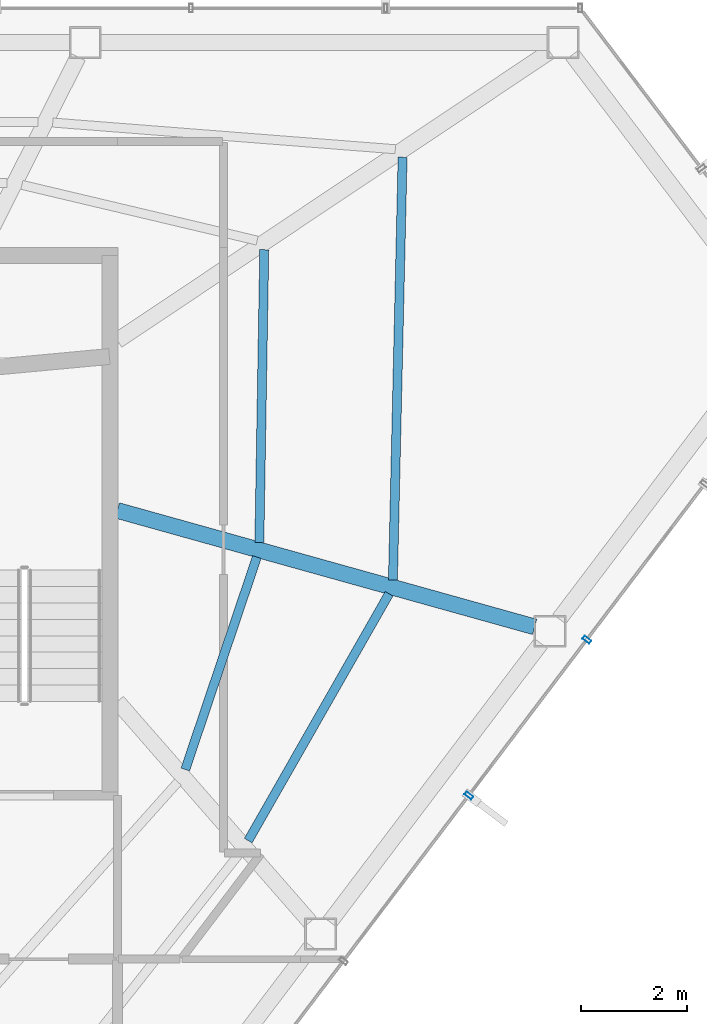
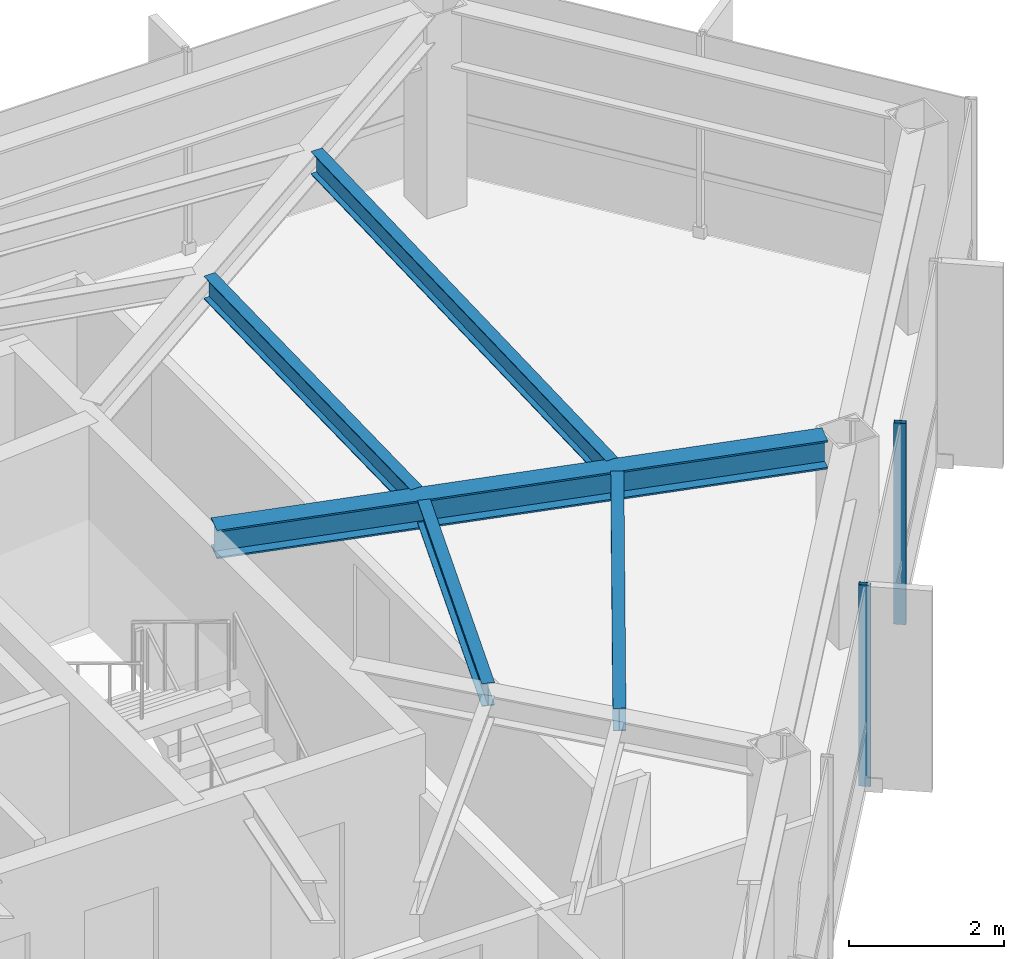
# One storey, part 17 of 25: 5 beams, 2 members, 1 element without a shape of its own.
"""IFC4 building model written with IfcOpenShell, lengths in metres."""

from ifc_helpers import new_model, si_unit, direction, frame, origin, origin_2d, place, context, subcontext, project, spatial, hollow_rectangle, i_section, extrude, material, layer, layer_set, material_profile, profile_set, type_object, element, aggregate, save


model = new_model("IFC4")

# Units and contexts
model_context = context("Model", 3, precision=1e-05, world=origin(), true_north=direction((0.0, 1.0)))
body_context = subcontext(model_context, "Body", "Model", "MODEL_VIEW")
ifc_project = project(units=[si_unit("LENGTHUNIT", "METRE"), si_unit("AREAUNIT", "SQUARE_METRE"), si_unit("VOLUMEUNIT", "CUBIC_METRE"), si_unit("PLANEANGLEUNIT", "RADIAN"), si_unit("MASSUNIT", "GRAM", prefix="KILO")], contexts=[model_context])

# Site, building, storey
site_placement = place(None, origin())
site = spatial("IfcSite", under=ifc_project, at=site_placement, CompositionType="ELEMENT")
building_placement = place(site_placement, origin())
building = spatial("IfcBuilding", under=site, at=building_placement, Name="Zarrinselat Tower", CompositionType="ELEMENT")
storey_placement = place(building_placement, frame((0.0, 0.0, 242.760009765625)))
storey = spatial("IfcBuildingStorey", under=building, at=storey_placement, Name="L61", CompositionType="ELEMENT", Elevation=242.760009765625)

# Beams
ifc_material_1 = material(Name="Steel S355J2", Category="steel")
ifc_material_profile_1 = material_profile(ifc_material_1, i_section(OverallWidth=0.300048828125, OverallDepth=0.449951171875, WebThickness=0.013916015625, FlangeThickness=0.02587890625, at=origin_2d()), Name="HEB 450")
ifc_profile_set_1 = profile_set([ifc_material_profile_1], Name="Steel S355J2")
beam_type_1 = type_object("IfcBeamType", Name="BM-HEB450", PredefinedType="BEAM", material=ifc_profile_set_1)
beam_1_placement = place(storey_placement, frame((48.35009765625, 38.60009765625, 2.955078125), z_axis=(0.963213775513, -0.26873634414, 0.0), x_axis=(0.26873634414, 0.963213775513, 0.0)))
element("IfcBeam", 1, at=beam_1_placement, inside=storey, type_object=beam_type_1, Name="L61 Radial Primary Girder RG14", PredefinedType="BEAM", context=body_context, shape_type="SweptSolid", body=[
    extrude(i_section(OverallWidth=0.300048828125, OverallDepth=0.449951171875, WebThickness=0.013916015625, FlangeThickness=0.02587890625, at=origin_2d()), origin(), (0.0, 0.0, 1.0), 8.158935546875),
])
ifc_material_2 = material(Name="Steel S355J2", Category="steel")
ifc_material_profile_2 = material_profile(ifc_material_2, i_section(OverallWidth=0.169921875, OverallDepth=0.360107421875, WebThickness=0.008056640625, FlangeThickness=0.0126953125, at=origin_2d()), Name="IPE 360")
ifc_profile_set_2 = profile_set([ifc_material_profile_2], Name="Steel S355J2")
beam_type_2 = type_object("IfcBeamType", Name="BM-IPE360", PredefinedType="JOIST", material=ifc_profile_set_2)
beam_2_placement = place(storey_placement, frame((50.81494140625, 32.3818359375, 3.0), z_axis=(0.495544498514, 0.868582552204, 0.0), x_axis=(-0.868582552204, 0.495544498514, 0.0)))
element("IfcBeam", 2, at=beam_2_placement, inside=storey, type_object=beam_type_2, Name="L61 Composite Floor Joist 4-1", PredefinedType="JOIST", context=body_context, shape_type="SweptSolid", body=[
    extrude(i_section(OverallWidth=0.169921875, OverallDepth=0.360107421875, WebThickness=0.008056640625, FlangeThickness=0.0126953125, at=origin_2d()), origin(), (0.0, 0.0, 1.0), 5.352783203125),
])
beam_3_placement = place(storey_placement, frame((49.62890625, 33.72119140625, 3.0), z_axis=(0.319383417207, 0.947625576276, 0.0), x_axis=(-0.947625576276, 0.319383417207, 0.0)))
element("IfcBeam", 3, at=beam_3_placement, inside=storey, type_object=beam_type_2, Name="L61 Composite Floor Joist 4-2", PredefinedType="JOIST", context=body_context, shape_type="SweptSolid", body=[
    extrude(i_section(OverallWidth=0.169921875, OverallDepth=0.360107421875, WebThickness=0.008056640625, FlangeThickness=0.0126953125, at=origin_2d()), origin(), (0.0, 0.0, 1.0), 4.221923828125),
])
beam_4_placement = place(storey_placement, frame((53.540283203125, 37.29296875, 3.0), z_axis=(0.022844694485, 0.999739025913, 0.0), x_axis=(-0.999739025913, 0.022844694485, 0.0)))
element("IfcBeam", 4, at=beam_4_placement, inside=storey, type_object=beam_type_2, Name="L61 Composite Floor Joist 5-1", PredefinedType="JOIST", context=body_context, shape_type="SweptSolid", body=[
    extrude(i_section(OverallWidth=0.169921875, OverallDepth=0.360107421875, WebThickness=0.008056640625, FlangeThickness=0.0126953125, at=origin_2d()), origin(), (0.0, 0.0, 1.0), 7.9619140625),
])
beam_5_placement = place(storey_placement, frame((51.0244140625, 37.994384765625, 3.0), z_axis=(0.016727024358, 0.999860093541, 0.0), x_axis=(-0.999860093541, 0.016727024358, 0.0)))
element("IfcBeam", 5, at=beam_5_placement, inside=storey, type_object=beam_type_2, Name="L61 Composite Floor Joist 5-2", PredefinedType="JOIST", context=body_context, shape_type="SweptSolid", body=[
    extrude(i_section(OverallWidth=0.169921875, OverallDepth=0.360107421875, WebThickness=0.008056640625, FlangeThickness=0.0126953125, at=origin_2d()), origin(), (0.0, 0.0, 1.0), 5.51708984375),
])

# Curtain wall, members
ifc_material_3 = material(Name="Extruded Aluminium Alloy EN AW-6063 T6", Category="aluminium")
ifc_layer = layer(ifc_material_3, 0.169921875)
ifc_layer_set = layer_set([ifc_layer], Name="Extruded Aluminium Alloy EN AW-6063 T6")
curtain_wall_type = type_object("IfcCurtainWallType", Name="CWS-RES", PredefinedType="NOTDEFINED", material=ifc_layer_set)
curtain_wall_placement = place(storey_placement, origin())
curtain_wall = element("IfcCurtainWall", 6, at=curtain_wall_placement, inside=storey, type_object=curtain_wall_type, Name="L61 Unitised Curtain Wall CW-L61-E05", PredefinedType="NOTDEFINED")
ifc_material_4 = material(Name="Extruded Aluminium Alloy EN AW-6063 T6", Category="aluminium")
ifc_material_profile_3 = material_profile(ifc_material_4, hollow_rectangle(XDim=0.070068359375, YDim=0.159912109375, WallThickness=0.00390625, at=origin_2d()), Name="RHS 160x70x4")
ifc_profile_set_3 = profile_set([ifc_material_profile_3], Name="Extruded Aluminium Alloy EN AW-6063 T6")
member_type = type_object("IfcMemberType", Name="MEM-CW-MUL2", PredefinedType="MULLION", material=ifc_profile_set_3)
member_1_placement = place(storey_placement, frame((54.969970703125, 33.230224609375, 0.0), z_axis=(0.0, 0.0, 1.0), x_axis=(0.603858472709, 0.797091553674, 0.0)))
member_1 = element("IfcMember", 7, at=member_1_placement, type_object=member_type, Name="CW-L61-E05 Mullion 5", PredefinedType="MULLION", context=body_context, shape_type="SweptSolid", body=[
    extrude(hollow_rectangle(XDim=0.070068359375, YDim=0.159912109375, WallThickness=0.00390625, at=origin_2d()), origin(), (0.0, 0.0, 1.0), 3.179931640625),
])
member_2_placement = place(storey_placement, frame((57.1923828125, 36.163818359375, 0.0), z_axis=(0.0, 0.0, 1.0), x_axis=(0.603858472709, 0.797091553674, 0.0)))
member_2 = element("IfcMember", 8, at=member_2_placement, type_object=member_type, Name="CW-L61-E05 Mullion 6", PredefinedType="MULLION", context=body_context, shape_type="SweptSolid", body=[
    extrude(hollow_rectangle(XDim=0.070068359375, YDim=0.159912109375, WallThickness=0.00390625, at=origin_2d()), origin(), (0.0, 0.0, 1.0), 3.179931640625),
])
aggregate(curtain_wall, [member_1, member_2])

save(model, "model.ifc")
